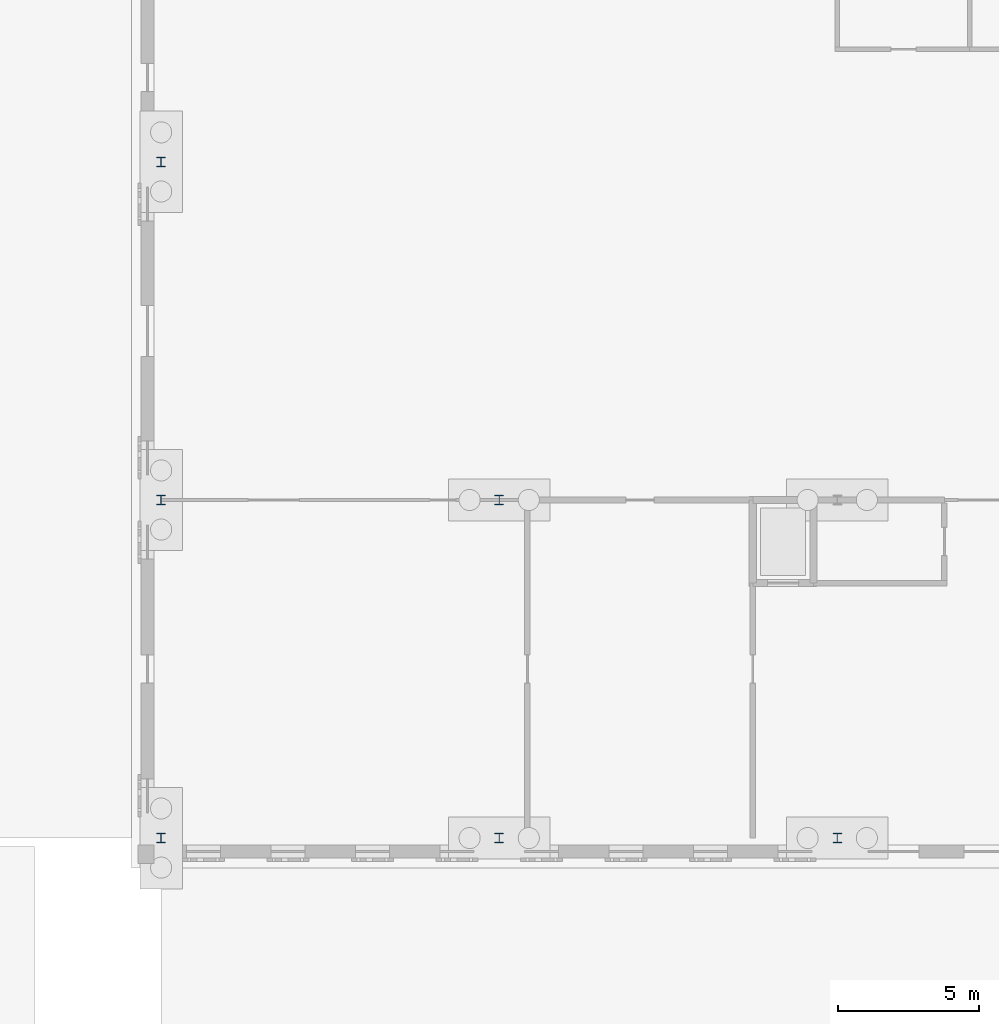
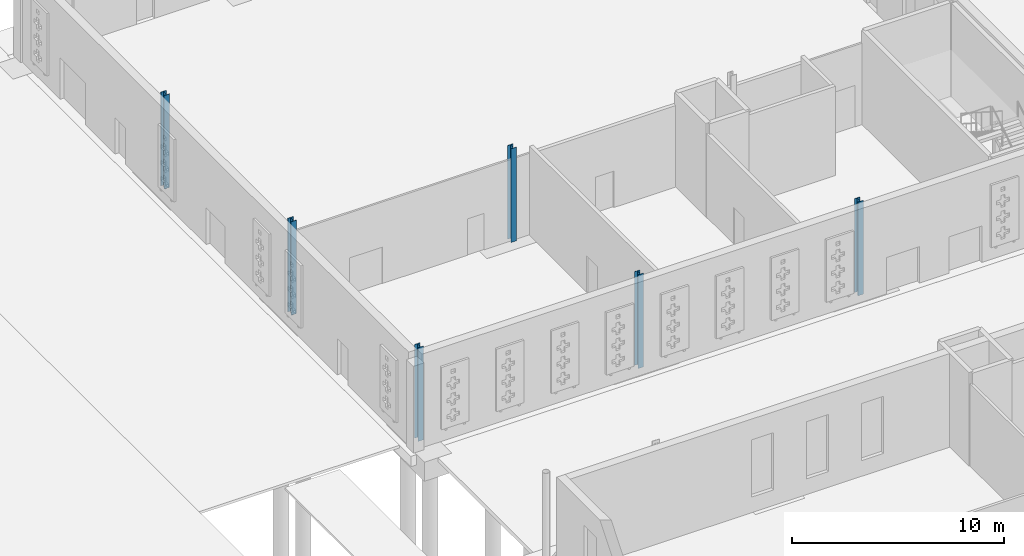
# One storey, part 44 of 132: 6 columns.
"""IFC4 building model written with IfcOpenShell, lengths in metres."""

from ifc_helpers import new_model, si_unit, direction, frame, origin, origin_2d, place, context, subcontext, project, spatial, i_section, extrude, material, material_profile, profile_set, type_object, element, save


model = new_model("IFC4")

# Units and contexts
model_context = context("Model", 3, precision=1e-05, world=origin(), true_north=direction((0.0, 1.0)))
body_context = subcontext(model_context, "Body", "Model", "MODEL_VIEW")
ifc_project = project(units=[si_unit("LENGTHUNIT", "METRE"), si_unit("AREAUNIT", "SQUARE_METRE"), si_unit("VOLUMEUNIT", "CUBIC_METRE"), si_unit("PLANEANGLEUNIT", "RADIAN"), si_unit("MASSUNIT", "GRAM", prefix="KILO")], contexts=[model_context])

# Site, building, storey
site_placement = place(None, origin())
site = spatial("IfcSite", under=ifc_project, at=site_placement, CompositionType="ELEMENT")
building_placement = place(site_placement, origin())
building = spatial("IfcBuilding", under=site, at=building_placement, Name="Ravi Spectrum Wholesale Market", CompositionType="ELEMENT")
storey_placement = place(building_placement, origin())
storey = spatial("IfcBuildingStorey", under=building, at=storey_placement, Name="L00", CompositionType="ELEMENT", Elevation=0.0)

# Columns
ifc_material = material(Name="Steel S355", Category="steel")
ifc_material_profile = material_profile(ifc_material, i_section(OverallWidth=0.300048828125, OverallDepth=0.340087890625, WebThickness=0.011962890625, FlangeThickness=0.021484375, at=origin_2d()))
ifc_profile_set = profile_set([ifc_material_profile], Name="Steel S355")
column_type = type_object("IfcColumnType", Name="HEB 340 column", PredefinedType="COLUMN", material=ifc_profile_set)
for number, where, z_axis, x_axis, name in (
    (1, (162.0, 198.0, 0.0), (0.0, 0.0, 1.0), (1.0, 0.0, 0.0), "AU-COL-L00-001"),
    (2, (162.0, 210.0, 0.0), (0.0, 0.0, 1.0), (1.0, 0.0, 0.0), "AU-COL-L00-002"),
    (3, (162.0, 222.0, 0.0), (0.0, 0.0, 1.0), (1.0, 0.0, 0.0), "AU-COL-L00-003"),
    (4, (174.0, 198.0, 0.0), (0.0, 0.0, 1.0), (1.0, 0.0, 0.0), "AU-COL-L00-005"),
    (5, (174.0, 210.0, 0.0), (0.0, 0.0, 1.0), (1.0, 0.0, 0.0), "AU-COL-L00-006"),
    (6, (186.0, 198.0, 0.0), (0.0, 0.0, 1.0), (1.0, 0.0, 0.0), "AU-COL-L00-008"),
):
    element("IfcColumn", number, at=place(storey_placement, frame(where, z_axis=z_axis, x_axis=x_axis)), inside=storey, type_object=column_type, Name=name, PredefinedType="COLUMN", context=body_context, shape_type="SweptSolid", body=[
        extrude(i_section(OverallWidth=0.300048828125, OverallDepth=0.340087890625, WebThickness=0.011962890625, FlangeThickness=0.021484375, at=origin_2d()), origin(), (0.0, 0.0, 1.0), 5.39990234375),
    ])

save(model, "model.ifc")
